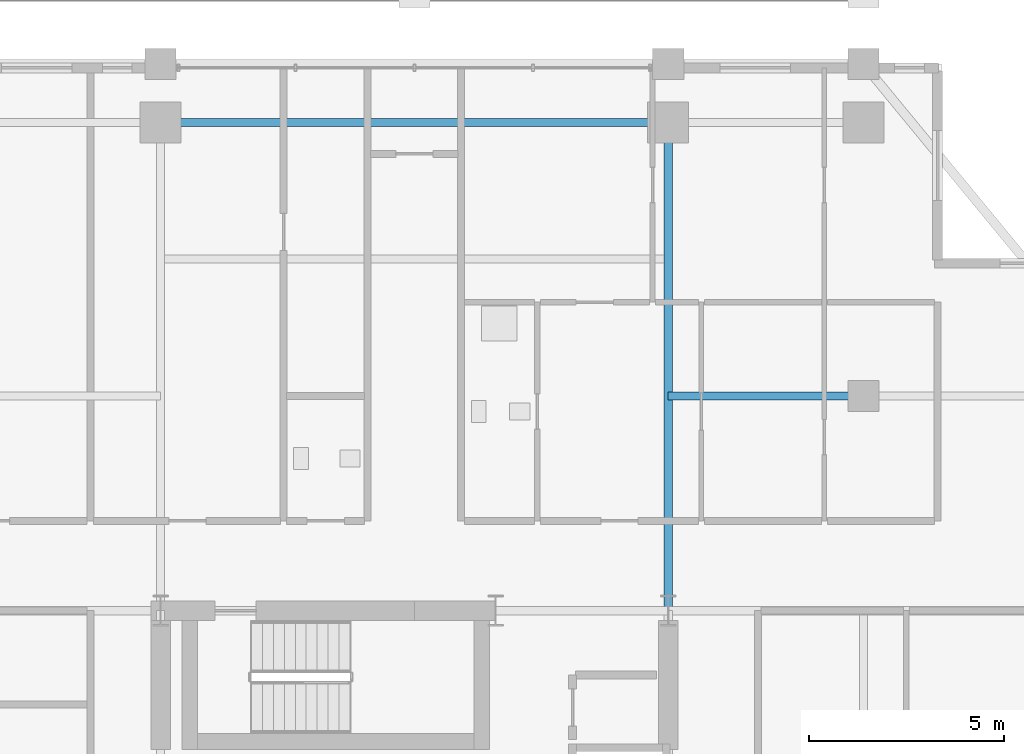
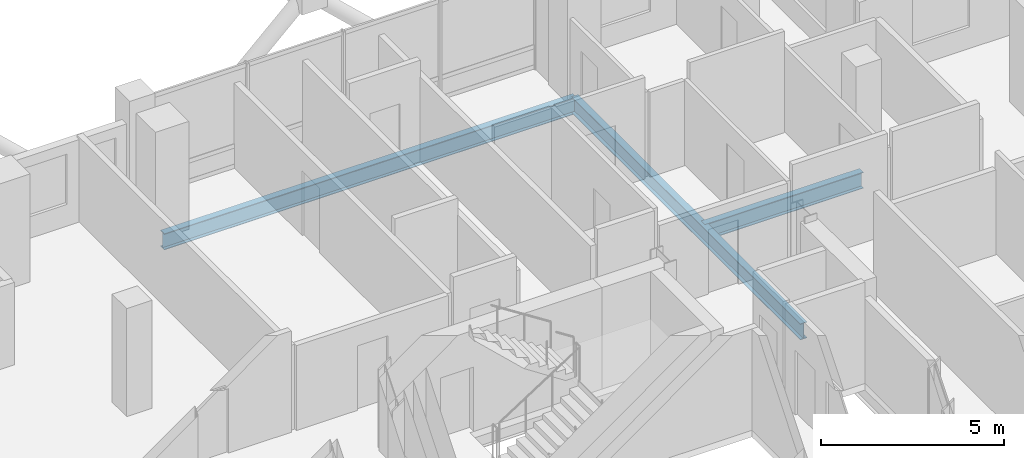
# One storey, part 14 of 24: 3 beams.
"""IFC4 building model written with IfcOpenShell, lengths in metres."""

from ifc_helpers import new_model, si_unit, direction, frame, origin, origin_2d, place, context, subcontext, project, spatial, i_section, extrude, material, material_profile, profile_set, type_object, element, save


model = new_model("IFC4")

# Units and contexts
model_context = context("Model", 3, precision=1e-05, world=origin(), true_north=direction((0.0, 1.0)))
body_context = subcontext(model_context, "Body", "Model", "MODEL_VIEW")
ifc_project = project(units=[si_unit("LENGTHUNIT", "METRE"), si_unit("AREAUNIT", "SQUARE_METRE"), si_unit("VOLUMEUNIT", "CUBIC_METRE"), si_unit("PLANEANGLEUNIT", "RADIAN"), si_unit("MASSUNIT", "GRAM", prefix="KILO")], contexts=[model_context])

# Site, building, storey
site_placement = place(None, origin())
site = spatial("IfcSite", under=ifc_project, at=site_placement, CompositionType="ELEMENT")
building_placement = place(site_placement, origin())
building = spatial("IfcBuilding", under=site, at=building_placement, Name="Barlavira Tower and Art Museum", CompositionType="ELEMENT")
storey_placement = place(building_placement, frame((0.0, 0.0, 172.800048828125)))
storey = spatial("IfcBuildingStorey", under=building, at=storey_placement, Name="L44", CompositionType="ELEMENT", Elevation=172.800048828125)

# Beams
ifc_material = material(Name="Steel S355", Category="steel")
ifc_material_profile = material_profile(ifc_material, i_section(OverallWidth=0.2109375, OverallDepth=0.5390625, WebThickness=0.01171875, FlangeThickness=0.018798828125, at=origin_2d()), Name="W530x109.0")
ifc_profile_set = profile_set([ifc_material_profile], Name="Steel S355")
beam_type = type_object("IfcBeamType", Name="Zone 3-4 Primary Floor Girder W530x109 Steel S355", PredefinedType="BEAM", material=ifc_profile_set)
beam_1_placement = place(storey_placement, frame((-6.5, 20.0, -0.489501953125), z_axis=(1.0, 0.0, 0.0), x_axis=(0.0, 1.0, 0.0)))
element("IfcBeam", 1, at=beam_1_placement, inside=storey, type_object=beam_type, Name="L44 Girder M-N2", PredefinedType="BEAM", context=body_context, shape_type="SweptSolid", body=[
    extrude(i_section(OverallWidth=0.2109375, OverallDepth=0.5390625, WebThickness=0.01171875, FlangeThickness=0.018798828125, at=origin_2d()), origin(), (0.0, 0.0, 1.0), 13.0),
])
beam_2_placement = place(storey_placement, frame((6.5, 7.5, -0.489501953125), z_axis=(0.0, 1.0, 0.0), x_axis=(-1.0, 0.0, 0.0)))
element("IfcBeam", 2, at=beam_2_placement, inside=storey, type_object=beam_type, Name="L44 Girder R-N2", PredefinedType="BEAM", context=body_context, shape_type="SweptSolid", body=[
    extrude(i_section(OverallWidth=0.2109375, OverallDepth=0.5390625, WebThickness=0.01171875, FlangeThickness=0.018798828125, at=origin_2d()), origin(), (0.0, 0.0, 1.0), 12.5),
])
beam_3_placement = place(storey_placement, frame((6.5, 13.0, -0.489501953125), z_axis=(1.0, 0.0, 0.0), x_axis=(0.0, 1.0, 0.0)))
element("IfcBeam", 3, at=beam_3_placement, inside=storey, type_object=beam_type, Name="L44 Girder I-N3", PredefinedType="BEAM", context=body_context, shape_type="SweptSolid", body=[
    extrude(i_section(OverallWidth=0.2109375, OverallDepth=0.5390625, WebThickness=0.01171875, FlangeThickness=0.018798828125, at=origin_2d()), origin(), (0.0, 0.0, 1.0), 5.0),
])

save(model, "model.ifc")
